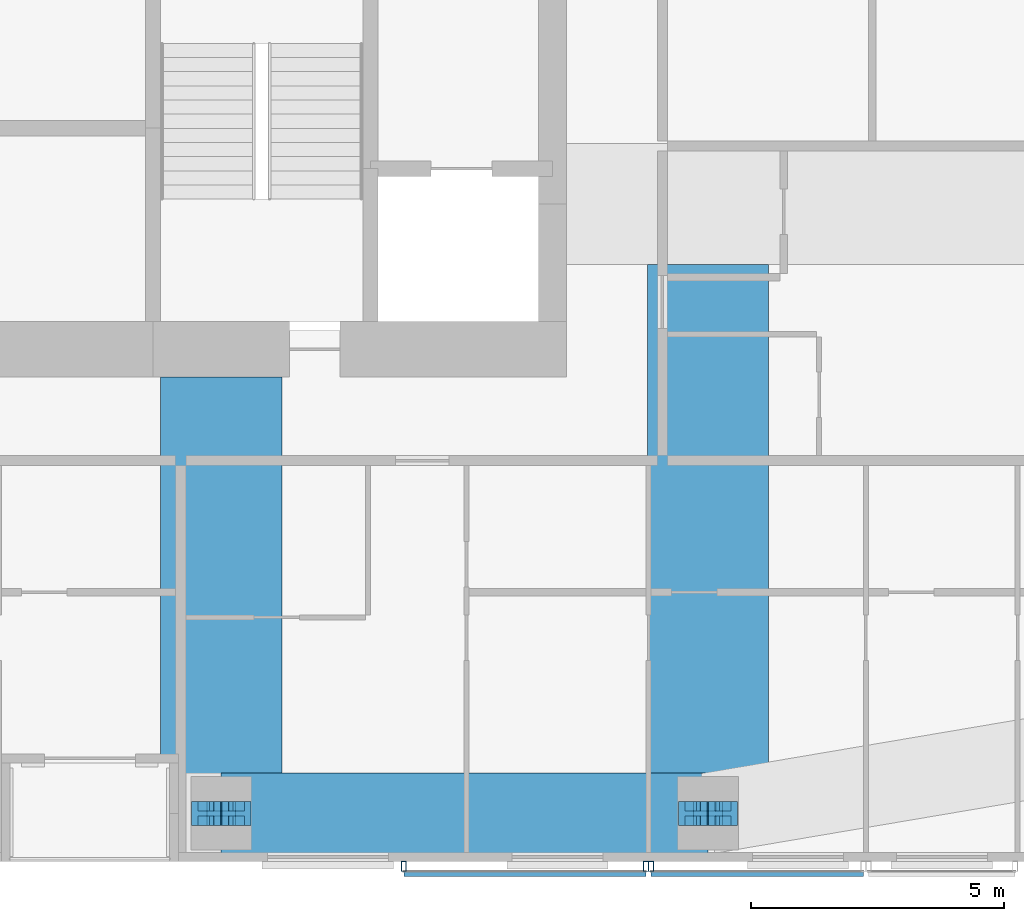
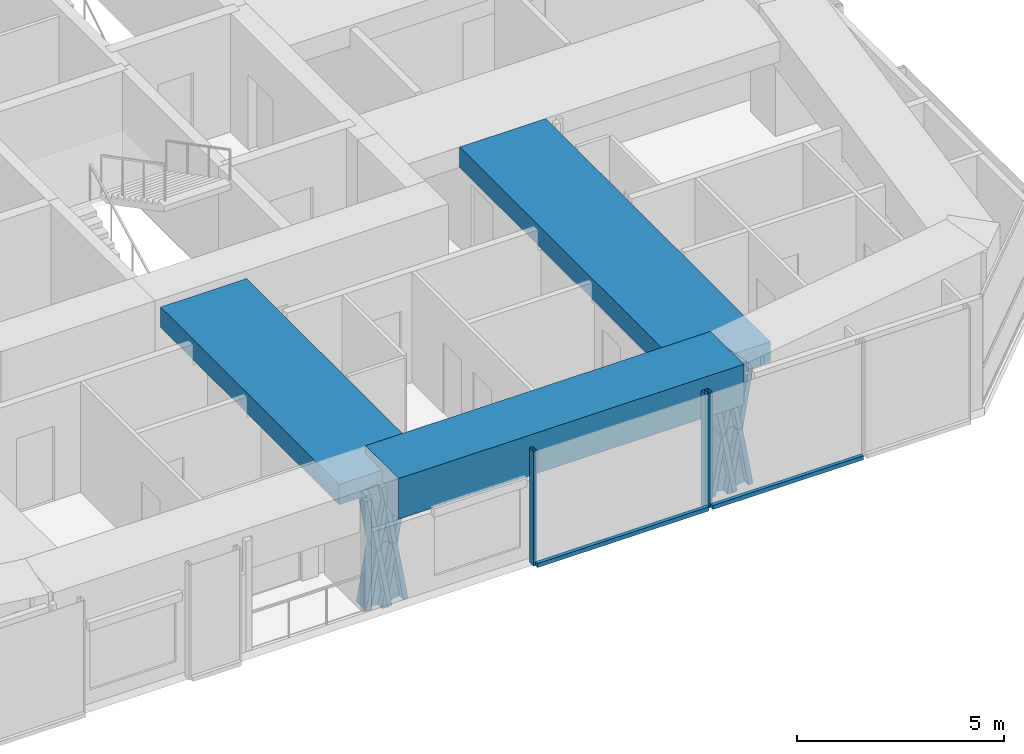
# One storey, part 5 of 20: 13 members, 3 beams, 2 elements without a shape of their own.
"""IFC4 building model written with IfcOpenShell, lengths in metres."""

from ifc_helpers import new_model, si_unit, direction, frame, origin, origin_2d, place, context, subcontext, project, spatial, rectangle, hollow_rectangle, i_section, extrude, material, material_profile, profile_set, type_object, element, aggregate, save


model = new_model("IFC4")

# Units and contexts
model_context = context("Model", 3, precision=1e-05, world=origin(), true_north=direction((0.0, 1.0)))
body_context = subcontext(model_context, "Body", "Model", "MODEL_VIEW")
ifc_project = project(units=[si_unit("LENGTHUNIT", "METRE"), si_unit("AREAUNIT", "SQUARE_METRE"), si_unit("VOLUMEUNIT", "CUBIC_METRE"), si_unit("PLANEANGLEUNIT", "RADIAN"), si_unit("MASSUNIT", "GRAM", prefix="KILO")], contexts=[model_context])

# Site, building, storey
site_placement = place(None, origin())
site = spatial("IfcSite", under=ifc_project, at=site_placement, CompositionType="ELEMENT")
building_placement = place(site_placement, origin())
building = spatial("IfcBuilding", under=site, at=building_placement, Name="Jalousie Tower", CompositionType="ELEMENT")
storey_placement = place(building_placement, frame((0.0, 0.0, 245.949951171875)))
storey = spatial("IfcBuildingStorey", under=building, at=storey_placement, Name="L67", CompositionType="ELEMENT", Elevation=245.949951171875)

# Members
ifc_material_1 = material(Name="Steel ASTM A992 Grade 50", Category="steel")
ifc_material_profile_1 = material_profile(ifc_material_1, i_section(OverallWidth=0.472412109375, OverallDepth=0.5791015625, WebThickness=0.094970703125, FlangeThickness=0.1298828125, at=origin_2d()), Name="W14X808")
ifc_profile_set_1 = profile_set([ifc_material_profile_1], Name="Steel ASTM A992 Grade 50")
member_type_1 = type_object("IfcMemberType", Name="PERIMETER BRACE W14X808", PredefinedType="BRACE", material=ifc_profile_set_1)
for number, where, z_axis, x_axis, name in (
    (1, (36.949951171875, 0.949951171875, -0.599853515625), (0.168990530437, 0.0, 0.98561767467), (0.0, 1.0, 0.0), "Perimeter brace 03 L67 part 1"),
    (2, (37.25, 0.949951171875, 1.150146484375), (0.168990530437, 0.0, 0.98561767467), (0.0, 1.0, 0.0), "Perimeter brace 03 L67 part 2"),
    (3, (37.550048828125, 0.949951171875, -0.599853515625), (-0.168990530437, 0.0, 0.98561767467), (0.0, -1.0, 0.0), "Perimeter brace 03 L67 part 3"),
    (4, (37.25, 0.949951171875, 1.150146484375), (-0.168990530437, 0.0, 0.98561767467), (0.0, -1.0, 0.0), "Perimeter brace 03 L67 part 4"),
    (5, (46.574951171875, 0.949951171875, -0.599853515625), (0.168990530437, 0.0, 0.98561767467), (0.0, 1.0, 0.0), "Perimeter brace 04 L67 part 1"),
    (6, (46.875, 0.949951171875, 1.150146484375), (0.168990530437, 0.0, 0.98561767467), (0.0, 1.0, 0.0), "Perimeter brace 04 L67 part 2"),
    (7, (47.175048828125, 0.949951171875, -0.599853515625), (-0.168990530437, 0.0, 0.98561767467), (0.0, -1.0, 0.0), "Perimeter brace 04 L67 part 3"),
    (8, (46.875, 0.949951171875, 1.150146484375), (-0.168990530437, 0.0, 0.98561767467), (0.0, -1.0, 0.0), "Perimeter brace 04 L67 part 4"),
):
    element("IfcMember", number, at=place(storey_placement, frame(where, z_axis=z_axis, x_axis=x_axis)), inside=storey, type_object=member_type_1, Name=name, PredefinedType="BRACE", context=body_context, shape_type="SweptSolid", body=[
        extrude(i_section(OverallWidth=0.472412109375, OverallDepth=0.5791015625, WebThickness=0.094970703125, FlangeThickness=0.1298828125, at=origin_2d()), origin(), (0.0, 0.0, 1.0), 1.775634765625),
    ])

# Beams
ifc_material_2 = material(Name="Concrete f'c 40 MPa", Category="concrete")
ifc_material_profile_2 = material_profile(ifc_material_2, rectangle(XDim=1.60009765625, YDim=1.199951171875, at=origin_2d()), Name="RC 1600x1200")
ifc_profile_set_2 = profile_set([ifc_material_profile_2], Name="Concrete f'c 40 MPa")
beam_type_1 = type_object("IfcBeamType", Name="RC BEAM 1600x1200", PredefinedType="BEAM", material=ifc_profile_set_2)
beam_1_placement = place(storey_placement, frame((37.25, 0.949951171875, 2.900146484375), z_axis=(1.0, 0.0, 0.0), x_axis=(0.0, 1.0, 0.0)))
element("IfcBeam", 9, at=beam_1_placement, inside=storey, type_object=beam_type_1, Name="Edge band beam 03-04 under L68", PredefinedType="BEAM", context=body_context, shape_type="SweptSolid", body=[
    extrude(rectangle(XDim=1.60009765625, YDim=1.199951171875, at=origin_2d()), origin(), (0.0, 0.0, 1.0), 9.625),
])
ifc_material_3 = material(Name="Concrete f'c 40 MPa", Category="concrete")
ifc_material_profile_3 = material_profile(ifc_material_3, rectangle(XDim=2.39990234375, YDim=0.60009765625, at=origin_2d()), Name="RC 2400x600")
ifc_profile_set_3 = profile_set([ifc_material_profile_3], Name="Concrete f'c 40 MPa")
beam_type_2 = type_object("IfcBeamType", Name="RC BEAM 2400x600", PredefinedType="BEAM", material=ifc_profile_set_3)
beam_2_placement = place(storey_placement, frame((37.25, 0.949951171875, 2.9599609375), z_axis=(0.0, 1.0, 0.0), x_axis=(-1.0, 0.0, 0.0)))
element("IfcBeam", 10, at=beam_2_placement, inside=storey, type_object=beam_type_2, Name="Floor band beam under L68", PredefinedType="BEAM", context=body_context, shape_type="SweptSolid", body=[
    extrude(rectangle(XDim=2.39990234375, YDim=0.60009765625, at=origin_2d()), origin(), (0.0, 0.0, 1.0), 8.625),
])
beam_3_placement = place(storey_placement, frame((46.875, 0.949951171875, 2.9599609375), z_axis=(0.0, 1.0, 0.0), x_axis=(-1.0, 0.0, 0.0)))
element("IfcBeam", 11, at=beam_3_placement, inside=storey, type_object=beam_type_2, Name="Floor band beam under L68", PredefinedType="BEAM", context=body_context, shape_type="SweptSolid", body=[
    extrude(rectangle(XDim=2.39990234375, YDim=0.60009765625, at=origin_2d()), origin(), (0.0, 0.0, 1.0), 10.85009765625),
])

# Curtain wall, members
ifc_material_4 = material(Name="Perforated aluminium sheet", Category="aluminium")
curtain_wall_type = type_object("IfcCurtainWallType", Name="SOLAR SCREEN SS-2", PredefinedType="USERDEFINED", material=ifc_material_4)
curtain_wall_1_placement = place(storey_placement, origin())
curtain_wall_1 = element("IfcCurtainWall", 12, at=curtain_wall_1_placement, inside=storey, type_object=curtain_wall_type, Name="Solar screen L67", ObjectType="SOLAR SCREEN SS-2", PredefinedType="USERDEFINED")
ifc_material_5 = material(Name="Steel ASTM A500 Grade C", Category="steel")
ifc_material_profile_4 = material_profile(ifc_material_5, hollow_rectangle(XDim=0.1015625, YDim=0.203125, WallThickness=0.0078125, at=origin_2d()), Name="HSS8X4X5/16")
ifc_profile_set_4 = profile_set([ifc_material_profile_4], Name="Steel ASTM A500 Grade C")
member_type_2 = type_object("IfcMemberType", Name="SOLAR SCREEN SS-2 MULLION", PredefinedType="MULLION", material=ifc_profile_set_4)
member_1_placement = place(storey_placement, frame((40.860107421875, -0.0966796875, -0.119873046875), z_axis=(0.0, 0.0, 1.0), x_axis=(1.0, 0.0, 0.0)))
member_1 = element("IfcMember", 13, at=member_1_placement, type_object=member_type_2, Name="SS2 post 1", PredefinedType="MULLION", context=body_context, shape_type="SweptSolid", body=[
    extrude(hollow_rectangle(XDim=0.1015625, YDim=0.203125, WallThickness=0.0078125, at=origin_2d()), origin(), (0.0, 0.0, 1.0), 3.3798828125),
])
member_2_placement = place(storey_placement, frame((45.64990234375, -0.0966796875, -0.119873046875), z_axis=(0.0, 0.0, 1.0), x_axis=(1.0, 0.0, 0.0)))
member_2 = element("IfcMember", 14, at=member_2_placement, type_object=member_type_2, Name="SS2 post 2", PredefinedType="MULLION", context=body_context, shape_type="SweptSolid", body=[
    extrude(hollow_rectangle(XDim=0.1015625, YDim=0.203125, WallThickness=0.0078125, at=origin_2d()), origin(), (0.0, 0.0, 1.0), 3.3798828125),
])

# Curtain wall, member
curtain_wall_2_placement = place(storey_placement, origin())
curtain_wall_2 = element("IfcCurtainWall", 15, at=curtain_wall_2_placement, inside=storey, type_object=curtain_wall_type, Name="Solar screen L67", ObjectType="SOLAR SCREEN SS-2", PredefinedType="USERDEFINED")
member_3_placement = place(storey_placement, frame((45.75, -0.0966796875, -0.119873046875), z_axis=(0.0, 0.0, 1.0), x_axis=(1.0, 0.0, 0.0)))
member_3 = element("IfcMember", 16, at=member_3_placement, type_object=member_type_2, Name="SS2 post 1", PredefinedType="MULLION", context=body_context, shape_type="SweptSolid", body=[
    extrude(hollow_rectangle(XDim=0.1015625, YDim=0.203125, WallThickness=0.0078125, at=origin_2d()), origin(), (0.0, 0.0, 1.0), 3.3798828125),
])

# Member
ifc_material_6 = material(Name="Extruded aluminium screen rail", Category="aluminium")
ifc_material_profile_5 = material_profile(ifc_material_6, rectangle(XDim=0.1015625, YDim=0.1201171875, at=origin_2d()), Name="RAIL 102x120")
ifc_profile_set_5 = profile_set([ifc_material_profile_5], Name="Extruded aluminium screen rail")
member_type_3 = type_object("IfcMemberType", Name="SOLAR SCREEN SS-2 TRANSOM", PredefinedType="USERDEFINED", material=ifc_profile_set_5)
member_4_placement = place(storey_placement, frame((40.860107421875, -0.2490234375, -0.06005859375), z_axis=(1.0, 0.0, 0.0), x_axis=(0.0, 1.0, 0.0)))
member_4 = element("IfcMember", 17, at=member_4_placement, type_object=member_type_3, Name="SS2 rail", ObjectType="TRANSOM", PredefinedType="USERDEFINED", context=body_context, shape_type="SweptSolid", body=[
    extrude(rectangle(XDim=0.1015625, YDim=0.1201171875, at=origin_2d()), origin(), (0.0, 0.0, 1.0), 4.789794921875),
])

aggregate(curtain_wall_1, [member_1, member_2, member_4])

member_5_placement = place(storey_placement, frame((45.75, -0.2490234375, -0.06005859375), z_axis=(1.0, 0.0, 0.0), x_axis=(0.0, 1.0, 0.0)))
member_5 = element("IfcMember", 18, at=member_5_placement, type_object=member_type_3, Name="SS2 rail", ObjectType="TRANSOM", PredefinedType="USERDEFINED", context=body_context, shape_type="SweptSolid", body=[
    extrude(rectangle(XDim=0.1015625, YDim=0.1201171875, at=origin_2d()), origin(), (0.0, 0.0, 1.0), 4.199951171875),
])

aggregate(curtain_wall_2, [member_3, member_5])

save(model, "model.ifc")
